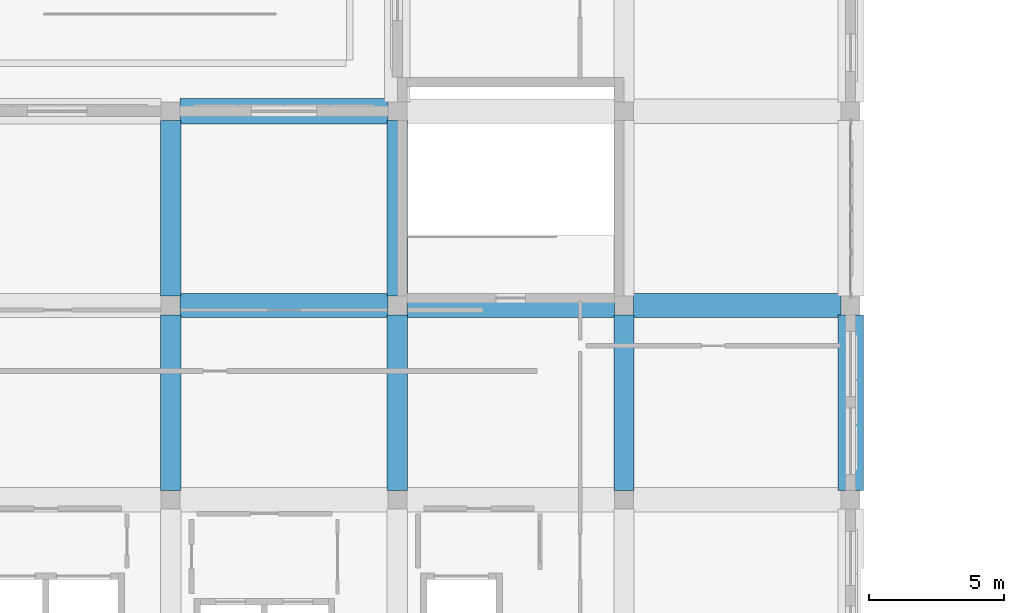
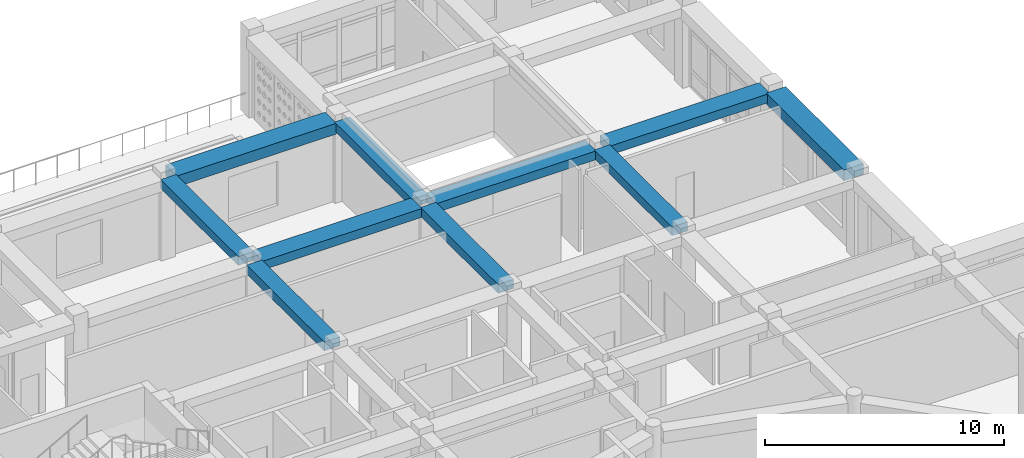
# One storey, part 26 of 79: 10 beams.
"""IFC4 building model written with IfcOpenShell, lengths in metres."""

import ifcopenshell
import ifcopenshell.guid

model = None  # the IFC model being written
_history = None  # IfcOwnerHistory: only IFC2X3 demands one
_inside = {}  # id of a spatial element -> (the spatial element, [elements in it])
_under = {}  # id of a project, library or spatial element -> (it, [spatial elements below it])
_declared = {}  # id of a project -> (the project, [libraries it declares])
_typed = {}  # id of a type object -> (the type object, [elements of that type])
_made_of = {}  # id of a material, layer set ... -> (it, [elements and type objects made of it])


def new_model(schema):
    """Start an empty IFC model of exactly this schema.

    Asked for "IFC4X3", IfcOpenShell would pick the latest addendum, in which some entities
    have other attributes; the version numbers below select the first issue.
    IFC2X3 requires an IfcOwnerHistory on every rooted entity: one is made here for all.
    """
    global model, _history
    if schema == "IFC4X3":
        model = ifcopenshell.file(schema_version=(4, 3, 0, 0))
    else:
        model = ifcopenshell.file(schema=schema)
    _inside.clear()
    _under.clear()
    _declared.clear()
    _typed.clear()
    _made_of.clear()
    _history = None
    if model.schema == "IFC2X3":
        org = make("IfcOrganization", Name="unknown")
        user = make(
            "IfcPersonAndOrganization",
            ThePerson=make("IfcPerson", FamilyName="unknown"),
            TheOrganization=org,
        )
        app = make(
            "IfcApplication",
            ApplicationDeveloper=org,
            Version="unknown",
            ApplicationFullName="unknown",
            ApplicationIdentifier="unknown",
        )
        _history = make(
            "IfcOwnerHistory",
            OwningUser=user,
            OwningApplication=app,
            ChangeAction="ADDED",
            CreationDate=0,
        )
    return model


def make(cls, **values):
    """One entity of the class cls with the attributes given. An attribute that is None is left unset."""
    return model.create_entity(
        cls, **{name: value for name, value in values.items() if value is not None}
    )


def rooted(cls, **values):
    """An entity with a GlobalId (a new one), such as an element, a storey or a relation."""
    return make(cls, GlobalId=ifcopenshell.guid.new(), OwnerHistory=_history, **values)


def si_unit(unit_type, name, prefix=None):
    """IfcSIUnit, for example si_unit("LENGTHUNIT", "METRE", prefix="MILLI")."""
    return make("IfcSIUnit", UnitType=unit_type, Prefix=prefix, Name=name)


def derived_unit(unit_type, elements):
    """IfcDerivedUnit: a product of units, each with its exponent."""
    return make(
        "IfcDerivedUnit",
        Elements=[
            make("IfcDerivedUnitElement", Unit=unit, Exponent=power)
            for unit, power in elements
        ],
        UnitType=unit_type,
    )


def assignment(units):
    """IfcUnitAssignment: the units of a project."""
    return None if units is None else make("IfcUnitAssignment", Units=units)


def point(xyz):
    """IfcCartesianPoint."""
    return None if xyz is None else make("IfcCartesianPoint", Coordinates=xyz)


def direction(xyz):
    """IfcDirection."""
    return None if xyz is None else make("IfcDirection", DirectionRatios=xyz)


def frame(location, z_axis=None, x_axis=None):
    """IfcAxis2Placement3D, a coordinate frame: its origin and axes. An axis left out is left unset."""
    return make(
        "IfcAxis2Placement3D",
        Location=point(location),
        Axis=direction(z_axis),
        RefDirection=direction(x_axis),
    )


def frame_2d(location, x_axis=None):
    """IfcAxis2Placement2D, a coordinate frame in the plane: its origin and x axis."""
    return make(
        "IfcAxis2Placement2D", Location=point(location), RefDirection=direction(x_axis)
    )


def origin():
    """The frame at (0, 0, 0) with its axes left unset."""
    return frame((0.0, 0.0, 0.0))


def origin_2d():
    """The frame at (0, 0) in the plane with its x axis left unset."""
    return frame_2d((0.0, 0.0))


def place(relative_to, where):
    """IfcLocalPlacement: puts the frame where relative to a parent placement (None: the world)."""
    return make(
        "IfcLocalPlacement", PlacementRelTo=relative_to, RelativePlacement=where
    )


def context(
    kind, dimensions, precision=None, world=None, true_north=None, identifier=None
):
    """IfcGeometricRepresentationContext, for example the 3D "Model" context."""
    return make(
        "IfcGeometricRepresentationContext",
        ContextIdentifier=identifier,
        ContextType=kind,
        CoordinateSpaceDimension=dimensions,
        Precision=precision,
        WorldCoordinateSystem=world,
        TrueNorth=true_north,
    )


def subcontext(parent, identifier, kind, view, scale=None):
    """IfcGeometricRepresentationSubContext, for example "Body" below "Model"."""
    return make(
        "IfcGeometricRepresentationSubContext",
        ContextIdentifier=identifier,
        ContextType=kind,
        ParentContext=parent,
        TargetScale=scale,
        TargetView=view,
    )


def project(units=None, contexts=None):
    """IfcProject with its units and contexts."""
    return rooted(
        "IfcProject",
        Name="project",
        RepresentationContexts=contexts,
        UnitsInContext=assignment(units),
    )


def spatial(cls, under=None, at=None, **own):
    """A site, building, storey or space (cls), placed at a placement, below another one or the project."""
    s = rooted(cls, ObjectPlacement=at, **own)
    if under is not None:
        _under.setdefault(under.id(), (under, []))[1].append(s)
    return s


def profile(cls, at=None, kind="AREA", **sizes):
    """A parametric profile (cls). Its sizes go by their IFC names, for example OverallWidth=200.0."""
    return make(cls, ProfileType=kind, Position=at, **sizes)


def rectangle(**sizes):
    """IfcRectangleProfileDef."""
    return profile("IfcRectangleProfileDef", **sizes)


def extrude(swept, where, along, depth):
    """IfcExtrudedAreaSolid: the profile swept, set in the frame where, extruded along a direction by depth."""
    return make(
        "IfcExtrudedAreaSolid",
        SweptArea=swept,
        Position=where,
        ExtrudedDirection=direction(along),
        Depth=depth,
    )


def shape(context_of_items, identifier, shape_type, items):
    """IfcShapeRepresentation: the items that make up one representation, for example the "Body"."""
    return make(
        "IfcShapeRepresentation",
        ContextOfItems=context_of_items,
        RepresentationIdentifier=identifier,
        RepresentationType=shape_type,
        Items=items,
    )


def material(Name=None, Category=None):
    """IfcMaterial."""
    return make("IfcMaterial", Name=Name, Category=Category)


def material_profile(
    of_material, cross_section, Name=None, Category=None, Priority=None
):
    """IfcMaterialProfile: a cross section and its material."""
    return make(
        "IfcMaterialProfile",
        Name=Name,
        Material=of_material,
        Profile=cross_section,
        Priority=Priority,
        Category=Category,
    )


def profile_set(profiles, Name=None, composite=None):
    """IfcMaterialProfileSet."""
    return make(
        "IfcMaterialProfileSet",
        Name=Name,
        MaterialProfiles=profiles,
        CompositeProfile=composite,
    )


def made_of(thing, what):
    """Note that an element or type object is made of a material, layer set ...; save() writes the relation."""
    if what is not None:
        _made_of.setdefault(what.id(), (what, []))[1].append(thing)
    return thing


def type_object(cls, material=None, **own):
    """A type object (cls), such as IfcWallType, which elements share."""
    return made_of(rooted(cls, **own), material)


def element(
    cls,
    number,
    at=None,
    inside=None,
    cuts=None,
    type_object=None,
    material=None,
    context=None,
    identifier="Body",
    shape_type=None,
    held_by="IfcProductDefinitionShape",
    body=None,
    shapes=None,
    **own,
):
    """One element of the class cls, such as IfcWall. Its Tag is "e" and its number.

    at: its placement. inside: the storey or other place that contains it. cuts: it is an
    opening in that element (IfcRelVoidsElement). A single representation is given by context,
    identifier, shape_type and body (its items); several are given by shapes. held_by: the class
    of the entity that holds the representations. save() writes the other relations.
    """
    e = rooted(cls, Tag="e%d" % number, ObjectPlacement=at, **own)
    if body is not None:
        shapes = [shape(context, identifier, shape_type, body)]
    if shapes is not None:
        e.Representation = make(held_by, Representations=shapes)
    if inside is not None:
        _inside.setdefault(inside.id(), (inside, []))[1].append(e)
    if cuts is not None:
        rooted(
            "IfcRelVoidsElement", RelatingBuildingElement=cuts, RelatedOpeningElement=e
        )
    if type_object is not None:
        _typed.setdefault(type_object.id(), (type_object, []))[1].append(e)
    return made_of(e, material)


def aggregate(whole, parts):
    """IfcRelAggregates: a whole, such as a stair, and the parts it consists of."""
    return rooted("IfcRelAggregates", RelatingObject=whole, RelatedObjects=parts)


def save(model, path):
    """Write the relations noted so far, then the file.

    IfcRelAggregates (storeys below a building ...), IfcRelContainedInSpatialStructure (elements
    in a storey), IfcRelDefinesByType, IfcRelAssociatesMaterial and IfcRelDeclares: one each for
    every whole, place, type object, material and project.
    """
    for whole, parts in _under.values():
        aggregate(whole, parts)
    for where, things in _inside.values():
        rooted(
            "IfcRelContainedInSpatialStructure",
            RelatedElements=things,
            RelatingStructure=where,
        )
    for kind, things in _typed.values():
        rooted("IfcRelDefinesByType", RelatedObjects=things, RelatingType=kind)
    for what, things in _made_of.values():
        rooted("IfcRelAssociatesMaterial", RelatedObjects=things, RelatingMaterial=what)
    for by, libraries in _declared.values():
        rooted("IfcRelDeclares", RelatingContext=by, RelatedDefinitions=libraries)
    model.write(path)


model = new_model("IFC4")

# Units and contexts
model_context = context("Model", 3, precision=1e-05, world=origin(), true_north=direction((0.0, 1.0)))
body_context = subcontext(model_context, "Body", "Model", "MODEL_VIEW")
ifc_project = project(units=[si_unit("LENGTHUNIT", "METRE"), si_unit("AREAUNIT", "SQUARE_METRE"), si_unit("VOLUMEUNIT", "CUBIC_METRE"), si_unit("PLANEANGLEUNIT", "RADIAN"), si_unit("MASSUNIT", "GRAM", prefix="KILO"), derived_unit("THERMALTRANSMITTANCEUNIT", [(si_unit("POWERUNIT", "WATT"), 1), (si_unit("LENGTHUNIT", "METRE"), -2), (si_unit("THERMODYNAMICTEMPERATUREUNIT", "KELVIN"), -1)])], contexts=[model_context])

# Site, building, storey
site_placement = place(None, origin())
site = spatial("IfcSite", under=ifc_project, at=site_placement, CompositionType="ELEMENT")
building_placement = place(site_placement, origin())
building = spatial("IfcBuilding", under=site, at=building_placement, Name="Veybourne Emporium", CompositionType="ELEMENT")
storey_placement = place(building_placement, frame((0.0, 0.0, 18.89990234375)))
storey = spatial("IfcBuildingStorey", under=building, at=storey_placement, Name="L04", CompositionType="ELEMENT", Elevation=18.89990234375)

# Beams
ifc_material = material(Name="Concrete C32/40", Category="concrete")
ifc_material_profile_1 = material_profile(ifc_material, rectangle(XDim=0.89990234375, YDim=0.449951171875, at=origin_2d()), Name="RC 900x450")
ifc_profile_set_1 = profile_set([ifc_material_profile_1], Name="Concrete C32/40")
beam_type_1 = type_object("IfcBeamType", Name="RCBeam_BB-03", PredefinedType="BEAM", material=ifc_profile_set_1)
for number, where, z_axis, x_axis, name in (
    (1, (67.550048828125, 86.39990234375, 3.955078125), (1.0, 0.0, 0.0), (0.0, 1.0, 0.0), "L04 X-grid beam BB-03 (8,12)"),
    (2, (75.949951171875, 86.39990234375, 3.955078125), (1.0, 0.0, 0.0), (0.0, 1.0, 0.0), "L04 X-grid beam BB-03 (9,12)"),
    (3, (84.35009765625, 86.39990234375, 3.955078125), (1.0, 0.0, 0.0), (0.0, 1.0, 0.0), "L04 X-grid beam BB-03 (10,12)"),
):
    element("IfcBeam", number, at=place(storey_placement, frame(where, z_axis=z_axis, x_axis=x_axis)), inside=storey, type_object=beam_type_1, Name=name, PredefinedType="BEAM", context=body_context, shape_type="SweptSolid", body=[
        extrude(rectangle(XDim=0.89990234375, YDim=0.449951171875, at=origin_2d()), origin(), (0.0, 0.0, 1.0), 7.699951171875),
    ])
ifc_material_profile_2 = material_profile(ifc_material, rectangle(XDim=0.75, YDim=0.449951171875, at=origin_2d()), Name="RC 750x450")
ifc_profile_set_2 = profile_set([ifc_material_profile_2], Name="Concrete C32/40")
beam_type_2 = type_object("IfcBeamType", Name="RCBeam_BB-04", PredefinedType="BEAM", material=ifc_profile_set_2)
for number, where, z_axis, x_axis, name in (
    (4, (67.199951171875, 79.550048828125, 3.955078125), (0.0, 1.0, 0.0), (-1.0, 0.0, 0.0), "L04 Y-grid beam BB-04 (8,11)"),
    (5, (67.199951171875, 86.75, 3.955078125), (0.0, 1.0, 0.0), (-1.0, 0.0, 0.0), "L04 Y-grid beam BB-04 (8,12)"),
    (6, (75.60009765625, 79.550048828125, 3.955078125), (0.0, 1.0, 0.0), (-1.0, 0.0, 0.0), "L04 Y-grid beam BB-04 (9,11)"),
    (7, (75.60009765625, 86.75, 3.955078125), (0.0, 1.0, 0.0), (-1.0, 0.0, 0.0), "L04 Y-grid beam BB-04 (9,12)"),
    (8, (84.0, 79.550048828125, 3.955078125), (0.0, 1.0, 0.0), (-1.0, 0.0, 0.0), "L04 Y-grid beam BB-04 (10,11)"),
):
    element("IfcBeam", number, at=place(storey_placement, frame(where, z_axis=z_axis, x_axis=x_axis)), inside=storey, type_object=beam_type_2, Name=name, PredefinedType="BEAM", context=body_context, shape_type="SweptSolid", body=[
        extrude(rectangle(XDim=0.75, YDim=0.449951171875, at=origin_2d()), origin(), (0.0, 0.0, 1.0), 6.5),
    ])
ifc_material_profile_3 = material_profile(ifc_material, rectangle(XDim=0.949951171875, YDim=0.550048828125, at=origin_2d()), Name="RC 950x550")
ifc_profile_set_3 = profile_set([ifc_material_profile_3], Name="Concrete C32/40")
beam_type_3 = type_object("IfcBeamType", Name="RCBeam_EB-01", PredefinedType="SPANDREL", material=ifc_profile_set_3)
beam_1_placement = place(storey_placement, frame((67.550048828125, 93.60009765625, 3.905029296875), z_axis=(1.0, 0.0, 0.0), x_axis=(0.0, 1.0, 0.0)))
element("IfcBeam", 9, at=beam_1_placement, inside=storey, type_object=beam_type_3, Name="L04 X-grid beam EB-01 (8,13)", PredefinedType="SPANDREL", context=body_context, shape_type="SweptSolid", body=[
    extrude(rectangle(XDim=0.949951171875, YDim=0.550048828125, at=origin_2d()), origin(), (0.0, 0.0, 1.0), 7.699951171875),
])
beam_2_placement = place(storey_placement, frame((92.39990234375, 79.550048828125, 3.905029296875), z_axis=(0.0, 1.0, 0.0), x_axis=(-1.0, 0.0, 0.0)))
element("IfcBeam", 10, at=beam_2_placement, inside=storey, type_object=beam_type_3, Name="L04 Y-grid beam EB-01 (11,11)", PredefinedType="SPANDREL", context=body_context, shape_type="SweptSolid", body=[
    extrude(rectangle(XDim=0.949951171875, YDim=0.550048828125, at=origin_2d()), origin(), (0.0, 0.0, 1.0), 6.5),
])

save(model, "model.ifc")
